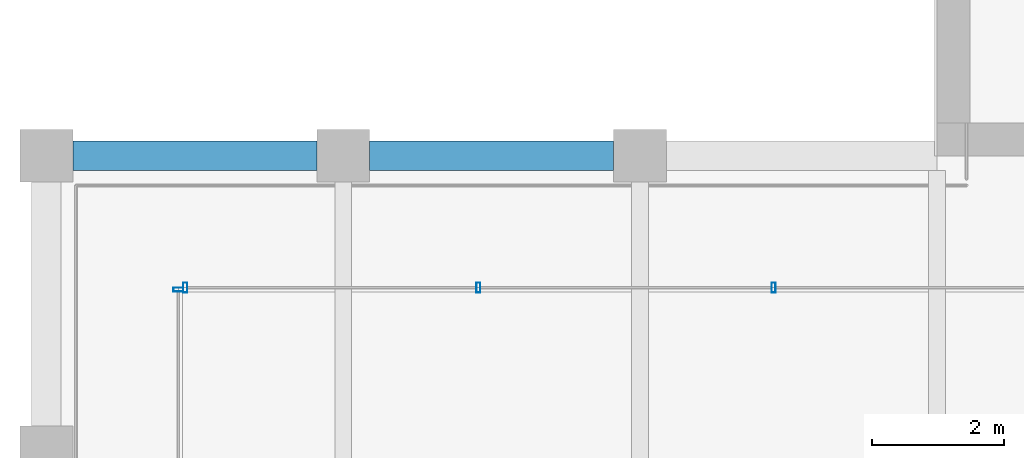
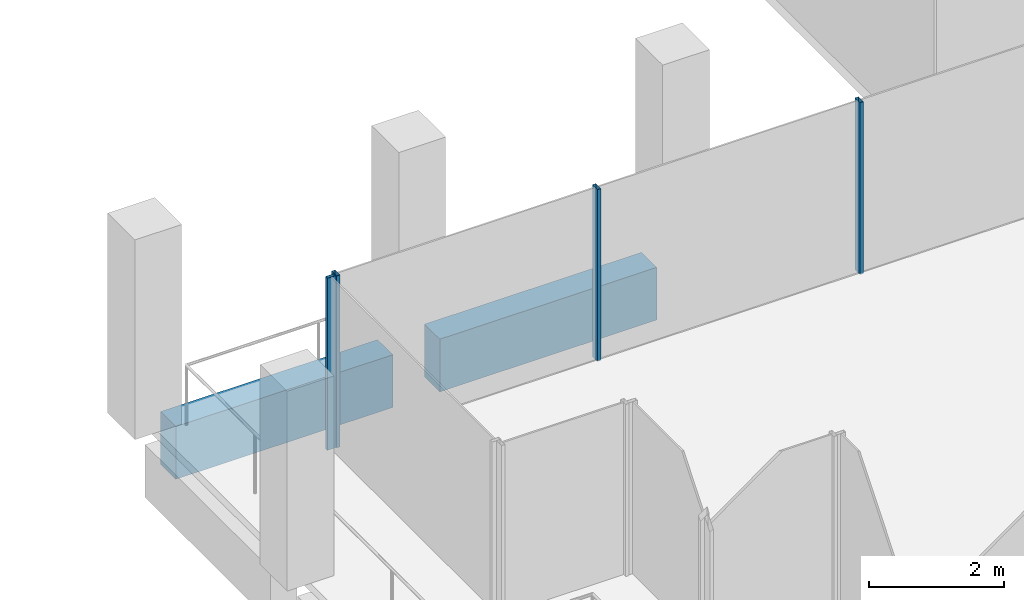
# One storey, part 5 of 30: 4 members, 2 beams, 2 elements without a shape of their own.
"""IFC4 building model written with IfcOpenShell, lengths in metres."""

from ifc_helpers import new_model, si_unit, direction, frame, origin, origin_2d, place, context, subcontext, project, spatial, rectangle, hollow_rectangle, extrude, material, material_profile, profile_set, type_object, element, aggregate, save


model = new_model("IFC4")

# Units and contexts
model_context = context("Model", 3, precision=1e-05, world=origin(), true_north=direction((0.0, 1.0)))
body_context = subcontext(model_context, "Body", "Model", "MODEL_VIEW")
ifc_project = project(units=[si_unit("LENGTHUNIT", "METRE"), si_unit("AREAUNIT", "SQUARE_METRE"), si_unit("VOLUMEUNIT", "CUBIC_METRE"), si_unit("PLANEANGLEUNIT", "RADIAN"), si_unit("MASSUNIT", "GRAM", prefix="KILO")], contexts=[model_context])

# Site, building, storey
site_placement = place(None, origin())
site = spatial("IfcSite", under=ifc_project, at=site_placement, CompositionType="ELEMENT")
building_placement = place(site_placement, origin())
building = spatial("IfcBuilding", under=site, at=building_placement, Name="Altepetl Exchange Towers", CompositionType="ELEMENT")
storey_placement = place(building_placement, frame((0.0, 0.0, 242.39990234375)))
storey = spatial("IfcBuildingStorey", under=building, at=storey_placement, Name="L62", CompositionType="ELEMENT", Elevation=242.39990234375)

# Curtain wall, members
ifc_material_1 = material(Name="Aluminium 6063-T6 glazing", Category="aluminium")
curtain_wall_type = type_object("IfcCurtainWallType", Name="Loggia glazing system", PredefinedType="NOTDEFINED", material=ifc_material_1)
curtain_wall_1_placement = place(storey_placement, origin())
curtain_wall_1 = element("IfcCurtainWall", 1, at=curtain_wall_1_placement, inside=storey, type_object=curtain_wall_type, Name="CW1 run", PredefinedType="NOTDEFINED")
ifc_material_2 = material(Name="Aluminium 6063-T6", Category="aluminium")
ifc_material_profile_1 = material_profile(ifc_material_2, hollow_rectangle(XDim=0.06005859375, YDim=0.14990234375, WallThickness=0.0029296875, at=origin_2d()), Name="Mullion 60x150 aluminium")
ifc_profile_set_1 = profile_set([ifc_material_profile_1], Name="Aluminium 6063-T6")
member_type = type_object("IfcMemberType", Name="Mullion 60x150 aluminium", PredefinedType="MULLION", material=ifc_profile_set_1)
member_1_placement = place(storey_placement, frame((38.02490234375, 38.5, 0.0), z_axis=(0.0, 0.0, 1.0), x_axis=(-1.0, 0.0, 0.0)))
member_1 = element("IfcMember", 2, at=member_1_placement, type_object=member_type, Name="MU1 mullion", PredefinedType="MULLION", context=body_context, shape_type="SweptSolid", body=[
    extrude(hollow_rectangle(XDim=0.06005859375, YDim=0.14990234375, WallThickness=0.0029296875, at=origin_2d()), origin(), (0.0, 0.0, 1.0), 3.10009765625),
])
member_2_placement = place(storey_placement, frame((33.550048828125, 38.5, 0.0), z_axis=(0.0, 0.0, 1.0), x_axis=(-1.0, 0.0, 0.0)))
member_2 = element("IfcMember", 3, at=member_2_placement, type_object=member_type, Name="MU1 mullion", PredefinedType="MULLION", context=body_context, shape_type="SweptSolid", body=[
    extrude(hollow_rectangle(XDim=0.06005859375, YDim=0.14990234375, WallThickness=0.0029296875, at=origin_2d()), origin(), (0.0, 0.0, 1.0), 3.10009765625),
])
member_3_placement = place(storey_placement, frame((29.10498046875, 38.5, 0.0), z_axis=(0.0, 0.0, 1.0), x_axis=(-1.0, 0.0, 0.0)))
member_3 = element("IfcMember", 4, at=member_3_placement, type_object=member_type, Name="MU1 mullion", PredefinedType="MULLION", context=body_context, shape_type="SweptSolid", body=[
    extrude(hollow_rectangle(XDim=0.06005859375, YDim=0.14990234375, WallThickness=0.0029296875, at=origin_2d()), origin(), (0.0, 0.0, 1.0), 3.10009765625),
])
aggregate(curtain_wall_1, [member_1, member_2, member_3])

# Curtain wall, member
curtain_wall_2_placement = place(storey_placement, origin())
curtain_wall_2 = element("IfcCurtainWall", 5, at=curtain_wall_2_placement, inside=storey, type_object=curtain_wall_type, Name="CW1 run", PredefinedType="NOTDEFINED")
member_4_placement = place(storey_placement, frame((29.0, 38.469970703125, 0.0), z_axis=(0.0, 0.0, 1.0), x_axis=(0.0, -1.0, 0.0)))
member_4 = element("IfcMember", 6, at=member_4_placement, type_object=member_type, Name="MU1 mullion", PredefinedType="MULLION", context=body_context, shape_type="SweptSolid", body=[
    extrude(hollow_rectangle(XDim=0.06005859375, YDim=0.14990234375, WallThickness=0.0029296875, at=origin_2d()), origin(), (0.0, 0.0, 1.0), 3.10009765625),
])
aggregate(curtain_wall_2, [member_4])

# Beams
ifc_material_3 = material(Name="Concrete C50/60 precast with tezontle facing", Category="concrete")
ifc_material_profile_2 = material_profile(ifc_material_3, rectangle(XDim=0.449951171875, YDim=0.949951171875, at=origin_2d()), Name="450 x 950")
ifc_profile_set_2 = profile_set([ifc_material_profile_2], Name="Concrete C50/60 precast with tezontle facing")
beam_type = type_object("IfcBeamType", Name="Spandrel beam 450x950 tezontle", PredefinedType="SPANDREL", material=ifc_profile_set_2)
for number, where, z_axis, x_axis, name in (
    (7, (35.60009765625, 40.5, -0.625), (-1.0, 0.0, 0.0), (0.0, -1.0, 0.0), "sp:A:L62:034"),
    (8, (31.10009765625, 40.5, -0.625), (-1.0, 0.0, 0.0), (0.0, -1.0, 0.0), "sp:A:L62:035"),
):
    element("IfcBeam", number, at=place(storey_placement, frame(where, z_axis=z_axis, x_axis=x_axis)), inside=storey, type_object=beam_type, Name=name, PredefinedType="SPANDREL", context=body_context, shape_type="SweptSolid", body=[
        extrude(rectangle(XDim=0.449951171875, YDim=0.949951171875, at=origin_2d()), origin(), (0.0, 0.0, 1.0), 3.7001953125),
    ])

save(model, "model.ifc")
